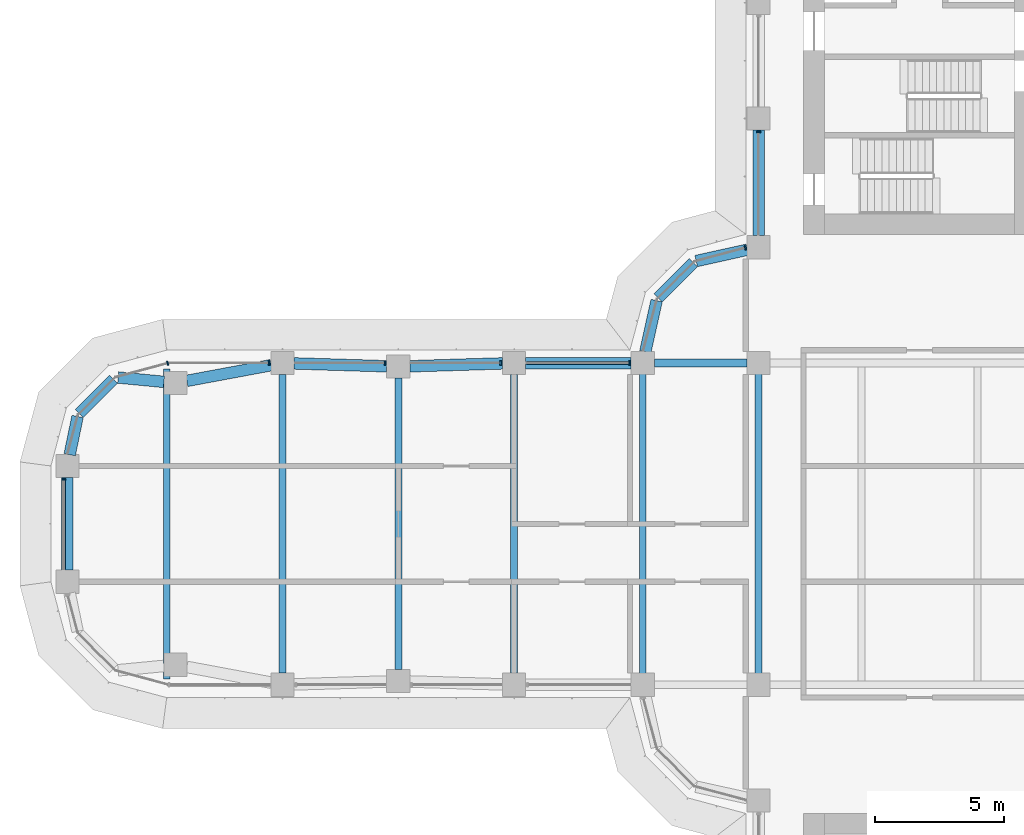
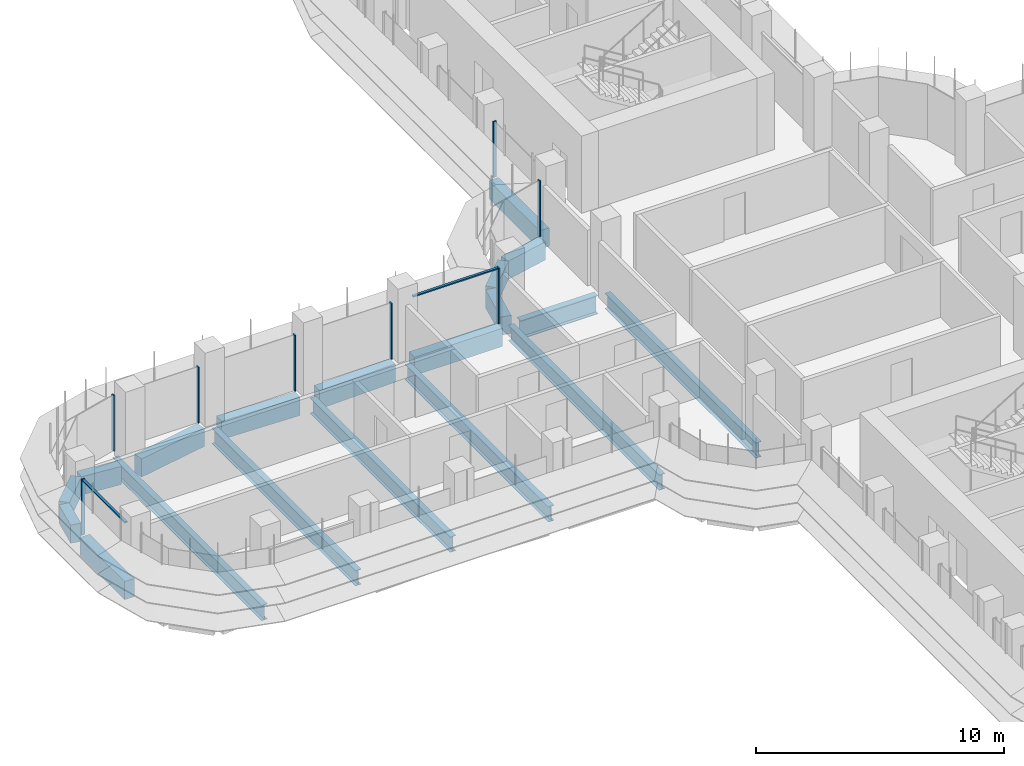
# One storey, part 6 of 22: 19 beams, 10 members, 5 elements without a shape of their own.
"""IFC4 building model written with IfcOpenShell, lengths in metres."""

from ifc_helpers import new_model, si_unit, direction, frame, origin, origin_2d, place, context, subcontext, project, spatial, polyline, rectangle, i_section, outline, extrude, source, transform, mapped, material, material_profile, profile_set, type_object, element, aggregate, save


model = new_model("IFC4")

# Units and contexts
model_context = context("Model", 3, precision=1e-05, world=origin(), true_north=direction((0.0, 1.0)))
body_context = subcontext(model_context, "Body", "Model", "MODEL_VIEW")
ifc_project = project(units=[si_unit("LENGTHUNIT", "METRE"), si_unit("AREAUNIT", "SQUARE_METRE"), si_unit("VOLUMEUNIT", "CUBIC_METRE"), si_unit("PLANEANGLEUNIT", "RADIAN"), si_unit("MASSUNIT", "GRAM", prefix="KILO")], contexts=[model_context])

# Site, building, storey
site_placement = place(None, origin())
site = spatial("IfcSite", under=ifc_project, at=site_placement, CompositionType="ELEMENT")
building_placement = place(site_placement, origin())
building = spatial("IfcBuilding", under=site, at=building_placement, Name="Zarbagh Exchange Tower", CompositionType="ELEMENT")
storey_placement = place(building_placement, frame((0.0, 0.0, 124.60009765625)))
storey = spatial("IfcBuildingStorey", under=building, at=storey_placement, Name="L29", CompositionType="ELEMENT", Elevation=124.60009765625)

# Beams
ifc_material_1 = material(Name="Steel ASTM A992 Gr 50", Category="steel")
ifc_material_profile_1 = material_profile(ifc_material_1, i_section(OverallWidth=0.2666015625, OverallDepth=0.7568359375, WebThickness=0.013916015625, FlangeThickness=0.019287109375, at=origin_2d()), Name="W30X108")
ifc_profile_set_1 = profile_set([ifc_material_profile_1], Name="Steel ASTM A992 Gr 50")
beam_type_1 = type_object("IfcBeamType", Name="Floor beam W30X108", PredefinedType="BEAM", material=ifc_profile_set_1)
for number, where, z_axis, x_axis, name in (
    (1, (-10.75, -6.09765625, -0.528564453125), (0.0, 1.0, 0.0), (-1.0, 0.0, 0.0), "Steel floor beam"),
    (2, (-6.25, -6.09765625, -0.528564453125), (0.0, 1.0, 0.0), (-1.0, 0.0, 0.0), "Steel floor beam"),
):
    element("IfcBeam", number, at=place(storey_placement, frame(where, z_axis=z_axis, x_axis=x_axis)), inside=storey, type_object=beam_type_1, Name=name, PredefinedType="BEAM", context=body_context, shape_type="SweptSolid", body=[
        extrude(i_section(OverallWidth=0.2666015625, OverallDepth=0.7568359375, WebThickness=0.013916015625, FlangeThickness=0.019287109375, at=origin_2d()), origin(), (0.0, 0.0, 1.0), 12.1953125),
    ])
beam_1_placement = place(storey_placement, frame((-15.75, -5.800048828125, -0.528564453125), z_axis=(0.0, 1.0, 0.0), x_axis=(-1.0, 0.0, 0.0)))
element("IfcBeam", 3, at=beam_1_placement, inside=storey, type_object=beam_type_1, Name="Steel floor beam", PredefinedType="BEAM", context=body_context, shape_type="SweptSolid", body=[
    extrude(i_section(OverallWidth=0.2666015625, OverallDepth=0.7568359375, WebThickness=0.013916015625, FlangeThickness=0.019287109375, at=origin_2d()), origin(), (0.0, 0.0, 1.0), 11.60009765625),
])
beam_2_placement = place(storey_placement, frame((-20.25, -5.659912109375, -0.528564453125), z_axis=(0.0, 1.0, 0.0), x_axis=(-1.0, 0.0, 0.0)))
element("IfcBeam", 4, at=beam_2_placement, inside=storey, type_object=beam_type_1, Name="Steel floor beam", PredefinedType="BEAM", context=body_context, shape_type="SweptSolid", body=[
    extrude(i_section(OverallWidth=0.2666015625, OverallDepth=0.7568359375, WebThickness=0.013916015625, FlangeThickness=0.019287109375, at=origin_2d()), origin(), (0.0, 0.0, 1.0), 11.31982421875),
])
beam_3_placement = place(storey_placement, frame((-24.75, -5.800048828125, -0.528564453125), z_axis=(0.0, 1.0, 0.0), x_axis=(-1.0, 0.0, 0.0)))
element("IfcBeam", 5, at=beam_3_placement, inside=storey, type_object=beam_type_1, Name="Steel floor beam", PredefinedType="BEAM", context=body_context, shape_type="SweptSolid", body=[
    extrude(i_section(OverallWidth=0.2666015625, OverallDepth=0.7568359375, WebThickness=0.013916015625, FlangeThickness=0.019287109375, at=origin_2d()), origin(), (0.0, 0.0, 1.0), 11.60009765625),
])
beam_4_placement = place(storey_placement, frame((-29.25, -6.02490234375, -0.528564453125), z_axis=(0.0, 1.0, 0.0), x_axis=(-1.0, 0.0, 0.0)))
element("IfcBeam", 6, at=beam_4_placement, inside=storey, type_object=beam_type_1, Name="Steel floor beam", PredefinedType="BEAM", context=body_context, shape_type="SweptSolid", body=[
    extrude(i_section(OverallWidth=0.2666015625, OverallDepth=0.7568359375, WebThickness=0.013916015625, FlangeThickness=0.019287109375, at=origin_2d()), origin(), (0.0, 0.0, 1.0), 12.0498046875),
])
ifc_material_profile_2 = material_profile(ifc_material_1, i_section(OverallWidth=0.3046875, OverallDepth=0.911865234375, WebThickness=0.015869140625, FlangeThickness=0.02392578125, at=origin_2d()), Name="W36X150")
ifc_profile_set_2 = profile_set([ifc_material_profile_2], Name="Steel ASTM A992 Gr 50")
beam_type_2 = type_object("IfcBeamType", Name="Floor girder W36X150", PredefinedType="BEAM", material=ifc_profile_set_2)
beam_5_placement = place(storey_placement, frame((-10.300048828125, 6.25, -0.60595703125), z_axis=(1.0, 0.0, 0.0), x_axis=(0.0, 1.0, 0.0)))
element("IfcBeam", 7, at=beam_5_placement, inside=storey, type_object=beam_type_2, Name="Steel girder", PredefinedType="BEAM", context=body_context, shape_type="SweptSolid", body=[
    extrude(i_section(OverallWidth=0.3046875, OverallDepth=0.911865234375, WebThickness=0.015869140625, FlangeThickness=0.02392578125, at=origin_2d()), origin(), (0.0, 0.0, 1.0), 3.60009765625),
])
ifc_material_2 = material(Name="Concrete C60/75", Category="concrete")
ifc_material_profile_3 = material_profile(ifc_material_2, rectangle(XDim=0.449951171875, YDim=0.89990234375, at=origin_2d()), Name="RC spandrel beam 450 x 900 C60/75")
ifc_profile_set_3 = profile_set([ifc_material_profile_3], Name="Concrete C60/75")
beam_type_3 = type_object("IfcBeamType", Name="RC spandrel beam 450 x 900 C60/75", PredefinedType="SPANDREL", material=ifc_profile_set_3)
beam_6_placement = place(storey_placement, frame((-33.110107421875, -1.800048828125, -0.60009765625), z_axis=(0.0, 1.0, 0.0), x_axis=(-1.0, 0.0, 0.0)))
element("IfcBeam", 8, at=beam_6_placement, inside=storey, type_object=beam_type_3, Name="RC spandrel beam", PredefinedType="SPANDREL", context=body_context, shape_type="SweptSolid", body=[
    extrude(rectangle(XDim=0.449951171875, YDim=0.89990234375, at=origin_2d()), origin(), (0.0, 0.0, 1.0), 3.60009765625),
])
beam_7_placement = place(storey_placement, frame((-33.01904296875, 2.690673828125, -0.60009765625), z_axis=(0.202275417995, 0.979328675816, 0.0), x_axis=(-0.979328675816, 0.202275417995, 0.0)))
element("IfcBeam", 9, at=beam_7_placement, inside=storey, type_object=beam_type_3, Name="RC spandrel beam", PredefinedType="SPANDREL", context=body_context, shape_type="SweptSolid", body=[
    extrude(rectangle(XDim=0.449951171875, YDim=0.89990234375, at=origin_2d()), origin(), (0.0, 0.0, 1.0), 1.515869140625),
])
beam_8_placement = place(storey_placement, frame((-32.651123046875, 4.288818359375, -0.60009765625), z_axis=(0.707106781187, 0.707106781187, 0.0), x_axis=(-0.707106781187, 0.707106781187, 0.0)))
element("IfcBeam", 10, at=beam_8_placement, inside=storey, type_object=beam_type_3, Name="RC spandrel beam", PredefinedType="SPANDREL", context=body_context, shape_type="SweptSolid", body=[
    extrude(rectangle(XDim=0.449951171875, YDim=0.89990234375, at=origin_2d()), origin(), (0.0, 0.0, 1.0), 1.887939453125),
])
beam_9_placement = place(storey_placement, frame((-31.135498046875, 5.688720703125, -0.60009765625), z_axis=(0.995433267802, -0.095459988228, 0.0), x_axis=(0.095459988228, 0.995433267802, 0.0)))
element("IfcBeam", 11, at=beam_9_placement, inside=storey, type_object=beam_type_3, Name="RC spandrel beam", PredefinedType="SPANDREL", context=body_context, shape_type="SweptSolid", body=[
    extrude(rectangle(XDim=0.449951171875, YDim=0.89990234375, at=origin_2d()), origin(), (0.0, 0.0, 1.0), 1.78759765625),
])
beam_10_placement = place(storey_placement, frame((-28.465576171875, 5.5576171875, -0.60009765625), z_axis=(0.98308156541, 0.183168326277, 0.0), x_axis=(-0.183168326277, 0.98308156541, 0.0)))
element("IfcBeam", 12, at=beam_10_placement, inside=storey, type_object=beam_type_3, Name="RC spandrel beam", PredefinedType="SPANDREL", context=body_context, shape_type="SweptSolid", body=[
    extrude(rectangle(XDim=0.449951171875, YDim=0.89990234375, at=origin_2d()), origin(), (0.0, 0.0, 1.0), 3.32958984375),
])
for number, where, z_axis, x_axis, name in (
    (13, (-24.30029296875, 6.236083984375, -0.60009765625), (0.999516035224, -0.031107801747, 0.0), (0.031107801747, 0.999516035224, 0.0), "RC spandrel beam"),
    (14, (-19.80029296875, 6.1240234375, -0.60009765625), (0.999516035224, 0.031107801747, 0.0), (-0.031107801747, 0.999516035224, 0.0), "RC spandrel beam"),
):
    element("IfcBeam", number, at=place(storey_placement, frame(where, z_axis=z_axis, x_axis=x_axis)), inside=storey, type_object=beam_type_3, Name=name, PredefinedType="SPANDREL", context=body_context, shape_type="SweptSolid", body=[
        extrude(rectangle(XDim=0.449951171875, YDim=0.89990234375, at=origin_2d()), origin(), (0.0, 0.0, 1.0), 3.602294921875),
    ])
beam_11_placement = place(storey_placement, frame((-15.300048828125, 6.25, -0.60009765625), z_axis=(1.0, 0.0, 0.0), x_axis=(0.0, 1.0, 0.0)))
element("IfcBeam", 15, at=beam_11_placement, inside=storey, type_object=beam_type_3, Name="RC spandrel beam", PredefinedType="SPANDREL", context=body_context, shape_type="SweptSolid", body=[
    extrude(rectangle(XDim=0.449951171875, YDim=0.89990234375, at=origin_2d()), origin(), (0.0, 0.0, 1.0), 4.10009765625),
])
beam_12_placement = place(storey_placement, frame((-10.65283203125, 6.689453125, -0.60009765625), z_axis=(0.216117666208, 0.976367325525, 0.0), x_axis=(-0.976367325525, 0.216117666208, 0.0)))
element("IfcBeam", 16, at=beam_12_placement, inside=storey, type_object=beam_type_3, Name="RC spandrel beam", PredefinedType="SPANDREL", context=body_context, shape_type="SweptSolid", body=[
    extrude(rectangle(XDim=0.449951171875, YDim=0.89990234375, at=origin_2d()), origin(), (0.0, 0.0, 1.0), 2.03564453125),
])
beam_13_placement = place(storey_placement, frame((-10.15234375, 8.78759765625, -0.60009765625), z_axis=(0.707106781187, 0.707106781187, 0.0), x_axis=(-0.707106781187, 0.707106781187, 0.0)))
element("IfcBeam", 17, at=beam_13_placement, inside=storey, type_object=beam_type_3, Name="RC spandrel beam", PredefinedType="SPANDREL", context=body_context, shape_type="SweptSolid", body=[
    extrude(rectangle(XDim=0.449951171875, YDim=0.89990234375, at=origin_2d()), origin(), (0.0, 0.0, 1.0), 1.929931640625),
])
beam_14_placement = place(storey_placement, frame((-8.677001953125, 10.212890625, -0.60009765625), z_axis=(0.976367325525, 0.216117666208, 0.0), x_axis=(-0.216117666208, 0.976367325525, 0.0)))
element("IfcBeam", 18, at=beam_14_placement, inside=storey, type_object=beam_type_3, Name="RC spandrel beam", PredefinedType="SPANDREL", context=body_context, shape_type="SweptSolid", body=[
    extrude(rectangle(XDim=0.449951171875, YDim=0.89990234375, at=origin_2d()), origin(), (0.0, 0.0, 1.0), 2.03564453125),
])
beam_15_placement = place(storey_placement, frame((-6.25, 11.199951171875, -0.60009765625), z_axis=(0.0, 1.0, 0.0), x_axis=(-1.0, 0.0, 0.0)))
element("IfcBeam", 19, at=beam_15_placement, inside=storey, type_object=beam_type_3, Name="RC spandrel beam", PredefinedType="SPANDREL", context=body_context, shape_type="SweptSolid", body=[
    extrude(rectangle(XDim=0.449951171875, YDim=0.89990234375, at=origin_2d()), origin(), (0.0, 0.0, 1.0), 4.10009765625),
])

# Curtain wall, member
ifc_material_3 = material(Name="Anodised aluminium frame and glazing", Category="aluminium")
curtain_wall_type = type_object("IfcCurtainWallType", Name="CWA Ribbon glazing, lower zones", PredefinedType="NOTDEFINED", material=ifc_material_3)
curtain_wall_1_placement = place(storey_placement, origin())
curtain_wall_1 = element("IfcCurtainWall", 20, at=curtain_wall_1_placement, inside=storey, type_object=curtain_wall_type, Name="CWA56 curtain wall", PredefinedType="NOTDEFINED")
ifc_material_4 = material(Name="Anodised aluminium frame", Category="aluminium")
member_type_1 = type_object("IfcMemberType", Name="MUA Mullion, anodised aluminium frame", PredefinedType="MULLION", material=ifc_material_4)
shared_shape_1 = source(origin(), body_context, "Body", "SweptSolid", [
    extrude(outline(polyline([(0.0, -0.080078125), (0.06005859375, -0.080078125), (0.06005859375, 0.080078125), (0.0, 0.080078125), (0.0, -0.080078125)])), origin(), (0.0, 0.0, 1.0), 2.75),
])
placement = place(storey_placement, origin())
member_1 = element("IfcMember", 21, at=placement, type_object=member_type_1, Name="CWA56 mullion 4.1", PredefinedType="MULLION", context=body_context, shape_type="MappedRepresentation", body=[
    mapped(shared_shape_1, transform((-6.25, 15.260009765625, 0.0), x_axis=(0.0, -1.0, 0.0), y_axis=(1.0, 0.0, 0.0), z_axis=(0.0, 0.0, 1.0))),
])
aggregate(curtain_wall_1, [member_1])

curtain_wall_2_placement = place(storey_placement, origin())
curtain_wall_2 = element("IfcCurtainWall", 22, at=curtain_wall_2_placement, inside=storey, type_object=curtain_wall_type, Name="CWA29 curtain wall", PredefinedType="NOTDEFINED")
member_2 = element("IfcMember", 23, at=placement, type_object=member_type_1, Name="CWA29 mullion 1.1", PredefinedType="MULLION", context=body_context, shape_type="MappedRepresentation", body=[
    mapped(shared_shape_1, transform((-6.739990234375, 10.735107421875, 0.0), x_axis=(-0.965924289636, -0.258824779902, 0.0), y_axis=(0.258824779902, -0.965924289636, 0.0), z_axis=(0.0, 0.0, 1.0))),
])
aggregate(curtain_wall_2, [member_2])

# Curtain wall, members
curtain_wall_3_placement = place(storey_placement, origin())
curtain_wall_3 = element("IfcCurtainWall", 24, at=curtain_wall_3_placement, inside=storey, type_object=curtain_wall_type, Name="CWA32 curtain wall", PredefinedType="NOTDEFINED")
member_3 = element("IfcMember", 25, at=placement, type_object=member_type_1, Name="CWA32 mullion 1.1", PredefinedType="MULLION", context=body_context, shape_type="MappedRepresentation", body=[
    mapped(shared_shape_1, transform((-11.239990234375, 6.25, 0.0), x_axis=(-1.0, 0.0, 0.0), y_axis=(0.0, -1.0, 0.0), z_axis=(0.0, 0.0, 1.0))),
])
member_4 = element("IfcMember", 26, at=placement, type_object=member_type_1, Name="CWA32 mullion 2.1", PredefinedType="MULLION", context=body_context, shape_type="MappedRepresentation", body=[
    mapped(shared_shape_1, transform((-16.239990234375, 6.25, 0.0), x_axis=(-1.0, 0.0, 0.0), y_axis=(0.0, -1.0, 0.0), z_axis=(0.0, 0.0, 1.0))),
])
member_5 = element("IfcMember", 27, at=placement, type_object=member_type_1, Name="CWA32 mullion 3.1", PredefinedType="MULLION", context=body_context, shape_type="MappedRepresentation", body=[
    mapped(shared_shape_1, transform((-20.739990234375, 6.25, 0.0), x_axis=(-1.0, 0.0, 0.0), y_axis=(0.0, -1.0, 0.0), z_axis=(0.0, 0.0, 1.0))),
])
member_6 = element("IfcMember", 28, at=placement, type_object=member_type_1, Name="CWA32 mullion 4.1", PredefinedType="MULLION", context=body_context, shape_type="MappedRepresentation", body=[
    mapped(shared_shape_1, transform((-25.239990234375, 6.25, 0.0), x_axis=(-1.0, 0.0, 0.0), y_axis=(0.0, -1.0, 0.0), z_axis=(0.0, 0.0, 1.0))),
])

# Curtain wall, member
curtain_wall_4_placement = place(storey_placement, origin())
curtain_wall_4 = element("IfcCurtainWall", 29, at=curtain_wall_4_placement, inside=storey, type_object=curtain_wall_type, Name="CWA33 curtain wall", PredefinedType="NOTDEFINED")
member_7 = element("IfcMember", 30, at=placement, type_object=member_type_1, Name="CWA33 mullion 1.1", PredefinedType="MULLION", context=body_context, shape_type="MappedRepresentation", body=[
    mapped(shared_shape_1, transform((-29.18408203125, 6.25, 0.0), x_axis=(-0.965924289636, -0.258824779902, 0.0), y_axis=(0.258824779902, -0.965924289636, 0.0), z_axis=(0.0, 0.0, 1.0))),
])
aggregate(curtain_wall_4, [member_7])

curtain_wall_5_placement = place(storey_placement, origin())
curtain_wall_5 = element("IfcCurtainWall", 31, at=curtain_wall_5_placement, inside=storey, type_object=curtain_wall_type, Name="CWA36 curtain wall", PredefinedType="NOTDEFINED")
member_8 = element("IfcMember", 32, at=placement, type_object=member_type_1, Name="CWA36 mullion 1.1", PredefinedType="MULLION", context=body_context, shape_type="MappedRepresentation", body=[
    mapped(shared_shape_1, transform((-33.25, 1.760009765625, 0.0), x_axis=(0.0, -1.0, 0.0), y_axis=(1.0, 0.0, 0.0), z_axis=(0.0, 0.0, 1.0))),
])

# Member
member_type_2 = type_object("IfcMemberType", Name="TRA Transom, anodised aluminium frame", PredefinedType="USERDEFINED", material=ifc_material_4)
shared_shape_2 = source(origin(), body_context, "Body", "SweptSolid", [
    extrude(outline(polyline([(-0.06005859375, -0.06005859375), (0.0, -0.06005859375), (0.0, 0.06005859375), (-0.06005859375, 0.06005859375), (-0.06005859375, -0.06005859375)])), origin(), (0.0, 0.0, 1.0), 3.9599609375),
])
member_9 = element("IfcMember", 33, at=placement, type_object=member_type_2, Name="CWA32 transom 1.1", ObjectType="TRANSOM", PredefinedType="USERDEFINED", context=body_context, shape_type="MappedRepresentation", body=[
    mapped(shared_shape_2, transform((-11.300048828125, 6.25, 2.75), x_axis=(0.0, 0.0, 1.0), y_axis=(0.0, 1.0, 0.0), z_axis=(-1.0, 0.0, 0.0))),
])

aggregate(curtain_wall_3, [member_3, member_9, member_4, member_5, member_6])

shared_shape_3 = source(origin(), body_context, "Body", "SweptSolid", [
    extrude(outline(polyline([(-0.06005859375, -0.06005859375), (0.0, -0.06005859375), (0.0, 0.06005859375), (-0.06005859375, 0.06005859375), (-0.06005859375, -0.06005859375)])), origin(), (0.0, 0.0, 1.0), 3.4599609375),
])
member_10 = element("IfcMember", 34, at=placement, type_object=member_type_2, Name="CWA36 transom 1.1", ObjectType="TRANSOM", PredefinedType="USERDEFINED", context=body_context, shape_type="MappedRepresentation", body=[
    mapped(shared_shape_3, transform((-33.25, 1.699951171875, 2.75), x_axis=(0.0, 0.0, 1.0), y_axis=(-1.0, 0.0, 0.0), z_axis=(0.0, -1.0, 0.0))),
])

aggregate(curtain_wall_5, [member_8, member_10])

save(model, "model.ifc")
